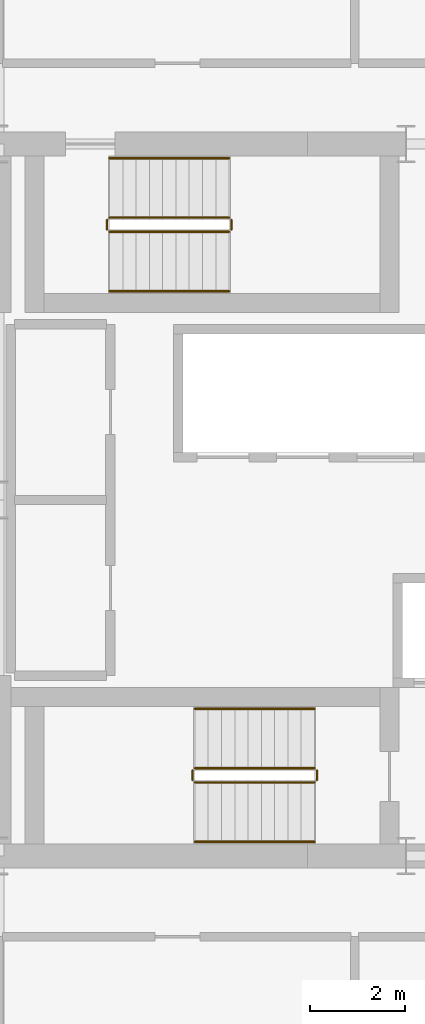
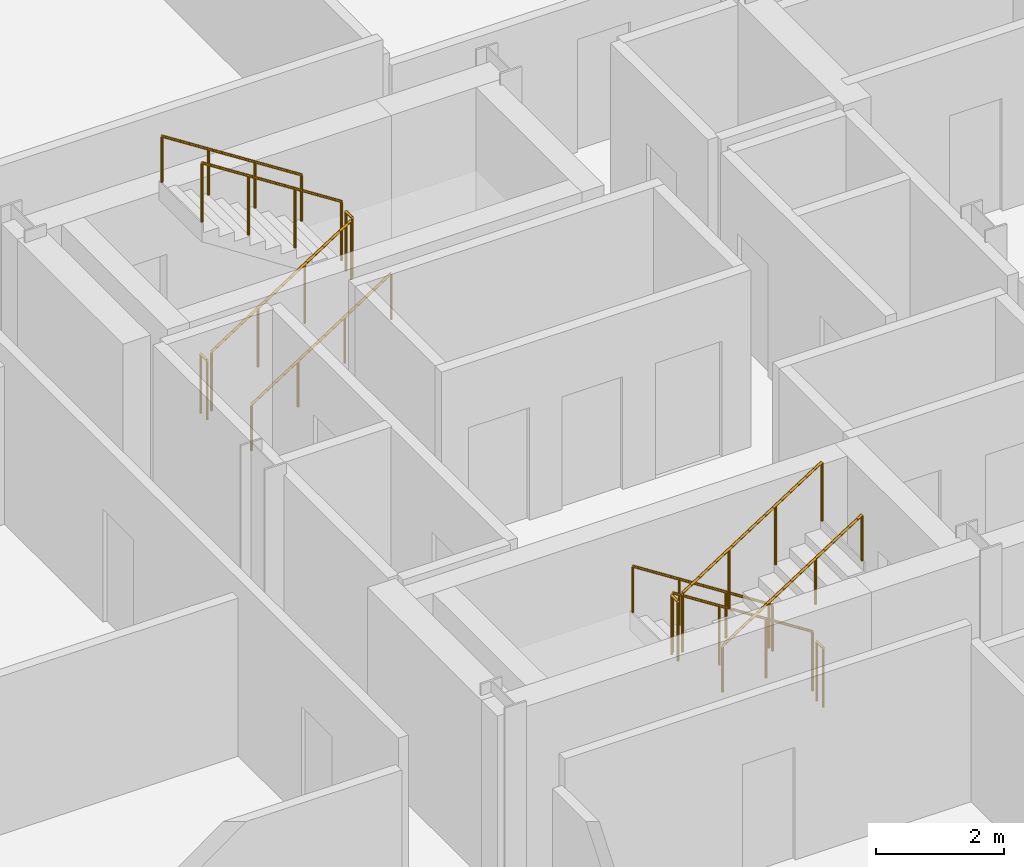
# One storey, part 23 of 24: 12 railings.
"""IFC4 building model written with IfcOpenShell, lengths in metres."""

import ifcopenshell
import ifcopenshell.guid

model = None  # the IFC model being written
_history = None  # IfcOwnerHistory: only IFC2X3 demands one
_inside = {}  # id of a spatial element -> (the spatial element, [elements in it])
_under = {}  # id of a project, library or spatial element -> (it, [spatial elements below it])
_declared = {}  # id of a project -> (the project, [libraries it declares])
_typed = {}  # id of a type object -> (the type object, [elements of that type])
_made_of = {}  # id of a material, layer set ... -> (it, [elements and type objects made of it])


def new_model(schema):
    """Start an empty IFC model of exactly this schema.

    Asked for "IFC4X3", IfcOpenShell would pick the latest addendum, in which some entities
    have other attributes; the version numbers below select the first issue.
    IFC2X3 requires an IfcOwnerHistory on every rooted entity: one is made here for all.
    """
    global model, _history
    if schema == "IFC4X3":
        model = ifcopenshell.file(schema_version=(4, 3, 0, 0))
    else:
        model = ifcopenshell.file(schema=schema)
    _inside.clear()
    _under.clear()
    _declared.clear()
    _typed.clear()
    _made_of.clear()
    _history = None
    if model.schema == "IFC2X3":
        org = make("IfcOrganization", Name="unknown")
        user = make(
            "IfcPersonAndOrganization",
            ThePerson=make("IfcPerson", FamilyName="unknown"),
            TheOrganization=org,
        )
        app = make(
            "IfcApplication",
            ApplicationDeveloper=org,
            Version="unknown",
            ApplicationFullName="unknown",
            ApplicationIdentifier="unknown",
        )
        _history = make(
            "IfcOwnerHistory",
            OwningUser=user,
            OwningApplication=app,
            ChangeAction="ADDED",
            CreationDate=0,
        )
    return model


def make(cls, **values):
    """One entity of the class cls with the attributes given. An attribute that is None is left unset."""
    return model.create_entity(
        cls, **{name: value for name, value in values.items() if value is not None}
    )


def rooted(cls, **values):
    """An entity with a GlobalId (a new one), such as an element, a storey or a relation."""
    return make(cls, GlobalId=ifcopenshell.guid.new(), OwnerHistory=_history, **values)


def si_unit(unit_type, name, prefix=None):
    """IfcSIUnit, for example si_unit("LENGTHUNIT", "METRE", prefix="MILLI")."""
    return make("IfcSIUnit", UnitType=unit_type, Prefix=prefix, Name=name)


def assignment(units):
    """IfcUnitAssignment: the units of a project."""
    return None if units is None else make("IfcUnitAssignment", Units=units)


def point(xyz):
    """IfcCartesianPoint."""
    return None if xyz is None else make("IfcCartesianPoint", Coordinates=xyz)


def direction(xyz):
    """IfcDirection."""
    return None if xyz is None else make("IfcDirection", DirectionRatios=xyz)


def frame(location, z_axis=None, x_axis=None):
    """IfcAxis2Placement3D, a coordinate frame: its origin and axes. An axis left out is left unset."""
    return make(
        "IfcAxis2Placement3D",
        Location=point(location),
        Axis=direction(z_axis),
        RefDirection=direction(x_axis),
    )


def frame_2d(location, x_axis=None):
    """IfcAxis2Placement2D, a coordinate frame in the plane: its origin and x axis."""
    return make(
        "IfcAxis2Placement2D", Location=point(location), RefDirection=direction(x_axis)
    )


def origin():
    """The frame at (0, 0, 0) with its axes left unset."""
    return frame((0.0, 0.0, 0.0))


def origin_2d():
    """The frame at (0, 0) in the plane with its x axis left unset."""
    return frame_2d((0.0, 0.0))


def place(relative_to, where):
    """IfcLocalPlacement: puts the frame where relative to a parent placement (None: the world)."""
    return make(
        "IfcLocalPlacement", PlacementRelTo=relative_to, RelativePlacement=where
    )


def context(
    kind, dimensions, precision=None, world=None, true_north=None, identifier=None
):
    """IfcGeometricRepresentationContext, for example the 3D "Model" context."""
    return make(
        "IfcGeometricRepresentationContext",
        ContextIdentifier=identifier,
        ContextType=kind,
        CoordinateSpaceDimension=dimensions,
        Precision=precision,
        WorldCoordinateSystem=world,
        TrueNorth=true_north,
    )


def subcontext(parent, identifier, kind, view, scale=None):
    """IfcGeometricRepresentationSubContext, for example "Body" below "Model"."""
    return make(
        "IfcGeometricRepresentationSubContext",
        ContextIdentifier=identifier,
        ContextType=kind,
        ParentContext=parent,
        TargetScale=scale,
        TargetView=view,
    )


def project(units=None, contexts=None):
    """IfcProject with its units and contexts."""
    return rooted(
        "IfcProject",
        Name="project",
        RepresentationContexts=contexts,
        UnitsInContext=assignment(units),
    )


def spatial(cls, under=None, at=None, **own):
    """A site, building, storey or space (cls), placed at a placement, below another one or the project."""
    s = rooted(cls, ObjectPlacement=at, **own)
    if under is not None:
        _under.setdefault(under.id(), (under, []))[1].append(s)
    return s


def profile(cls, at=None, kind="AREA", **sizes):
    """A parametric profile (cls). Its sizes go by their IFC names, for example OverallWidth=200.0."""
    return make(cls, ProfileType=kind, Position=at, **sizes)


def circle(**sizes):
    """IfcCircleProfileDef."""
    return profile("IfcCircleProfileDef", **sizes)


def extrude(swept, where, along, depth):
    """IfcExtrudedAreaSolid: the profile swept, set in the frame where, extruded along a direction by depth."""
    return make(
        "IfcExtrudedAreaSolid",
        SweptArea=swept,
        Position=where,
        ExtrudedDirection=direction(along),
        Depth=depth,
    )


def shape(context_of_items, identifier, shape_type, items):
    """IfcShapeRepresentation: the items that make up one representation, for example the "Body"."""
    return make(
        "IfcShapeRepresentation",
        ContextOfItems=context_of_items,
        RepresentationIdentifier=identifier,
        RepresentationType=shape_type,
        Items=items,
    )


def material(Name=None, Category=None):
    """IfcMaterial."""
    return make("IfcMaterial", Name=Name, Category=Category)


def made_of(thing, what):
    """Note that an element or type object is made of a material, layer set ...; save() writes the relation."""
    if what is not None:
        _made_of.setdefault(what.id(), (what, []))[1].append(thing)
    return thing


def type_object(cls, material=None, **own):
    """A type object (cls), such as IfcWallType, which elements share."""
    return made_of(rooted(cls, **own), material)


def element(
    cls,
    number,
    at=None,
    inside=None,
    cuts=None,
    type_object=None,
    material=None,
    context=None,
    identifier="Body",
    shape_type=None,
    held_by="IfcProductDefinitionShape",
    body=None,
    shapes=None,
    **own,
):
    """One element of the class cls, such as IfcWall. Its Tag is "e" and its number.

    at: its placement. inside: the storey or other place that contains it. cuts: it is an
    opening in that element (IfcRelVoidsElement). A single representation is given by context,
    identifier, shape_type and body (its items); several are given by shapes. held_by: the class
    of the entity that holds the representations. save() writes the other relations.
    """
    e = rooted(cls, Tag="e%d" % number, ObjectPlacement=at, **own)
    if body is not None:
        shapes = [shape(context, identifier, shape_type, body)]
    if shapes is not None:
        e.Representation = make(held_by, Representations=shapes)
    if inside is not None:
        _inside.setdefault(inside.id(), (inside, []))[1].append(e)
    if cuts is not None:
        rooted(
            "IfcRelVoidsElement", RelatingBuildingElement=cuts, RelatedOpeningElement=e
        )
    if type_object is not None:
        _typed.setdefault(type_object.id(), (type_object, []))[1].append(e)
    return made_of(e, material)


def aggregate(whole, parts):
    """IfcRelAggregates: a whole, such as a stair, and the parts it consists of."""
    return rooted("IfcRelAggregates", RelatingObject=whole, RelatedObjects=parts)


def save(model, path):
    """Write the relations noted so far, then the file.

    IfcRelAggregates (storeys below a building ...), IfcRelContainedInSpatialStructure (elements
    in a storey), IfcRelDefinesByType, IfcRelAssociatesMaterial and IfcRelDeclares: one each for
    every whole, place, type object, material and project.
    """
    for whole, parts in _under.values():
        aggregate(whole, parts)
    for where, things in _inside.values():
        rooted(
            "IfcRelContainedInSpatialStructure",
            RelatedElements=things,
            RelatingStructure=where,
        )
    for kind, things in _typed.values():
        rooted("IfcRelDefinesByType", RelatedObjects=things, RelatingType=kind)
    for what, things in _made_of.values():
        rooted("IfcRelAssociatesMaterial", RelatedObjects=things, RelatingMaterial=what)
    for by, libraries in _declared.values():
        rooted("IfcRelDeclares", RelatingContext=by, RelatedDefinitions=libraries)
    model.write(path)


model = new_model("IFC4")

# Units and contexts
model_context = context("Model", 3, precision=1e-05, world=origin(), true_north=direction((0.0, 1.0)))
body_context = subcontext(model_context, "Body", "Model", "MODEL_VIEW")
ifc_project = project(units=[si_unit("LENGTHUNIT", "METRE"), si_unit("AREAUNIT", "SQUARE_METRE"), si_unit("VOLUMEUNIT", "CUBIC_METRE"), si_unit("PLANEANGLEUNIT", "RADIAN"), si_unit("MASSUNIT", "GRAM", prefix="KILO")], contexts=[model_context])

# Site, building, storey
site_placement = place(None, origin())
site = spatial("IfcSite", under=ifc_project, at=site_placement, CompositionType="ELEMENT")
building_placement = place(site_placement, origin())
building = spatial("IfcBuilding", under=site, at=building_placement, Name="Barlavira Tower and Art Museum", CompositionType="ELEMENT")
storey_placement = place(building_placement, frame((0.0, 0.0, 272.699951171875)))
storey = spatial("IfcBuildingStorey", under=building, at=storey_placement, Name="L71", CompositionType="ELEMENT", Elevation=272.699951171875)

# Railings
ifc_material = material(Name="Brushed stainless steel", Category="steel")
railing_type_1 = type_object("IfcRailingType", Name="Interior Void and Landing Guard Railing 1150", PredefinedType="GUARDRAIL", material=ifc_material)
railing_1_placement = place(storey_placement, frame((0.14990234375, -5.64990234375, 0.179931640625)))
element("IfcRailing", 1, at=railing_1_placement, inside=storey, type_object=railing_type_1, Name="L71 ST-T1 stair guard 1", PredefinedType="GUARDRAIL", context=body_context, shape_type="SweptSolid", body=[
    extrude(circle(Radius=0.02392578125, at=origin_2d()), frame((0.0, 0.0, 1.1259765625), z_axis=(-0.841162588446, 0.0, 0.540782303519), x_axis=(0.0, -1.0, 0.0)), (0.0, 0.0, 1.0), 2.995849609375),
    extrude(circle(Radius=0.02099609375, at=origin_2d()), origin(), (0.0, 0.0, 1.0), 1.101806640625),
    extrude(circle(Radius=0.02099609375, at=origin_2d()), frame((-0.840087890625, 0.0, 0.5400390625)), (0.0, 0.0, 1.0), 1.101806640625),
    extrude(circle(Radius=0.02099609375, at=origin_2d()), frame((-1.679931640625, 0.0, 1.080078125)), (0.0, 0.0, 1.0), 1.101806640625),
    extrude(circle(Radius=0.02099609375, at=origin_2d()), frame((-2.52001953125, 0.0, 1.6201171875)), (0.0, 0.0, 1.0), 1.101806640625),
])
railing_2_placement = place(storey_placement, frame((-2.419921875, -5.699951171875, 1.800048828125)))
element("IfcRailing", 2, at=railing_2_placement, inside=storey, type_object=railing_type_1, Name="L71 ST-T1 stair guard 2", PredefinedType="GUARDRAIL", context=body_context, shape_type="SweptSolid", body=[
    extrude(circle(Radius=0.02392578125, at=origin_2d()), frame((0.0, 0.0, 1.1259765625), z_axis=(0.0, -1.0, 0.0), x_axis=(1.0, 0.0, 0.0)), (0.0, 0.0, 1.0), 0.199951171875),
    extrude(circle(Radius=0.02099609375, at=origin_2d()), origin(), (0.0, 0.0, 1.0), 1.101806640625),
    extrude(circle(Radius=0.02099609375, at=origin_2d()), frame((0.0, -0.199951171875, 0.0)), (0.0, 0.0, 1.0), 1.101806640625),
])
railing_3_placement = place(storey_placement, frame((-2.3701171875, -5.949951171875, 1.97998046875)))
element("IfcRailing", 3, at=railing_3_placement, inside=storey, type_object=railing_type_1, Name="L71 ST-T1 stair guard 3", PredefinedType="GUARDRAIL", context=body_context, shape_type="SweptSolid", body=[
    extrude(circle(Radius=0.02392578125, at=origin_2d()), frame((0.0, 0.0, 1.1259765625), z_axis=(0.841162588446, 0.0, 0.540782303519), x_axis=(0.0, 1.0, 0.0)), (0.0, 0.0, 1.0), 2.995849609375),
    extrude(circle(Radius=0.02099609375, at=origin_2d()), origin(), (0.0, 0.0, 1.0), 1.101806640625),
    extrude(circle(Radius=0.02099609375, at=origin_2d()), frame((0.840087890625, 0.0, 0.5400390625)), (0.0, 0.0, 1.0), 1.101806640625),
    extrude(circle(Radius=0.02099609375, at=origin_2d()), frame((1.679931640625, 0.0, 1.080078125)), (0.0, 0.0, 1.0), 1.101806640625),
    extrude(circle(Radius=0.02099609375, at=origin_2d()), frame((2.52001953125, 0.0, 1.6201171875)), (0.0, 0.0, 1.0), 1.101806640625),
])
railing_4_placement = place(storey_placement, frame((0.199951171875, -5.699951171875, 0.0)))
element("IfcRailing", 4, at=railing_4_placement, inside=storey, type_object=railing_type_1, Name="L71 ST-T1 stair guard 4", PredefinedType="GUARDRAIL", context=body_context, shape_type="SweptSolid", body=[
    extrude(circle(Radius=0.02392578125, at=origin_2d()), frame((0.0, 0.0, 1.1259765625), z_axis=(0.0, -1.0, 0.0), x_axis=(1.0, 0.0, 0.0)), (0.0, 0.0, 1.0), 0.199951171875),
    extrude(circle(Radius=0.02099609375, at=origin_2d()), origin(), (0.0, 0.0, 1.0), 1.101806640625),
    extrude(circle(Radius=0.02099609375, at=origin_2d()), frame((0.0, -0.199951171875, 0.0)), (0.0, 0.0, 1.0), 1.101806640625),
])
railing_5_placement = place(storey_placement, frame((-4.169921875, 5.64990234375, 0.179931640625)))
element("IfcRailing", 5, at=railing_5_placement, inside=storey, type_object=railing_type_1, Name="L71 ST-T2 stair guard 1", PredefinedType="GUARDRAIL", context=body_context, shape_type="SweptSolid", body=[
    extrude(circle(Radius=0.02392578125, at=origin_2d()), frame((0.0, 0.0, 1.1259765625), z_axis=(0.841162588446, 0.0, 0.540782303519), x_axis=(0.0, 1.0, 0.0)), (0.0, 0.0, 1.0), 2.995849609375),
    extrude(circle(Radius=0.02099609375, at=origin_2d()), origin(), (0.0, 0.0, 1.0), 1.101806640625),
    extrude(circle(Radius=0.02099609375, at=origin_2d()), frame((0.840087890625, 0.0, 0.5400390625)), (0.0, 0.0, 1.0), 1.101806640625),
    extrude(circle(Radius=0.02099609375, at=origin_2d()), frame((1.679931640625, 0.0, 1.080078125)), (0.0, 0.0, 1.0), 1.101806640625),
    extrude(circle(Radius=0.02099609375, at=origin_2d()), frame((2.52001953125, 0.0, 1.6201171875)), (0.0, 0.0, 1.0), 1.101806640625),
])
railing_6_placement = place(storey_placement, frame((-1.60009765625, 5.699951171875, 1.800048828125)))
element("IfcRailing", 6, at=railing_6_placement, inside=storey, type_object=railing_type_1, Name="L71 ST-T2 stair guard 2", PredefinedType="GUARDRAIL", context=body_context, shape_type="SweptSolid", body=[
    extrude(circle(Radius=0.02392578125, at=origin_2d()), frame((0.0, 0.0, 1.1259765625), z_axis=(0.0, 1.0, 0.0), x_axis=(-1.0, 0.0, 0.0)), (0.0, 0.0, 1.0), 0.199951171875),
    extrude(circle(Radius=0.02099609375, at=origin_2d()), origin(), (0.0, 0.0, 1.0), 1.101806640625),
    extrude(circle(Radius=0.02099609375, at=origin_2d()), frame((0.0, 0.199951171875, 0.0)), (0.0, 0.0, 1.0), 1.101806640625),
])
railing_7_placement = place(storey_placement, frame((-1.64990234375, 5.949951171875, 1.97998046875)))
element("IfcRailing", 7, at=railing_7_placement, inside=storey, type_object=railing_type_1, Name="L71 ST-T2 stair guard 3", PredefinedType="GUARDRAIL", context=body_context, shape_type="SweptSolid", body=[
    extrude(circle(Radius=0.02392578125, at=origin_2d()), frame((0.0, 0.0, 1.1259765625), z_axis=(-0.841162588446, 0.0, 0.540782303519), x_axis=(0.0, -1.0, 0.0)), (0.0, 0.0, 1.0), 2.995849609375),
    extrude(circle(Radius=0.02099609375, at=origin_2d()), origin(), (0.0, 0.0, 1.0), 1.101806640625),
    extrude(circle(Radius=0.02099609375, at=origin_2d()), frame((-0.840087890625, 0.0, 0.5400390625)), (0.0, 0.0, 1.0), 1.101806640625),
    extrude(circle(Radius=0.02099609375, at=origin_2d()), frame((-1.679931640625, 0.0, 1.080078125)), (0.0, 0.0, 1.0), 1.101806640625),
    extrude(circle(Radius=0.02099609375, at=origin_2d()), frame((-2.52001953125, 0.0, 1.6201171875)), (0.0, 0.0, 1.0), 1.101806640625),
])
railing_8_placement = place(storey_placement, frame((-4.219970703125, 5.699951171875, 0.0)))
element("IfcRailing", 8, at=railing_8_placement, inside=storey, type_object=railing_type_1, Name="L71 ST-T2 stair guard 4", PredefinedType="GUARDRAIL", context=body_context, shape_type="SweptSolid", body=[
    extrude(circle(Radius=0.02392578125, at=origin_2d()), frame((0.0, 0.0, 1.1259765625), z_axis=(0.0, 1.0, 0.0), x_axis=(-1.0, 0.0, 0.0)), (0.0, 0.0, 1.0), 0.199951171875),
    extrude(circle(Radius=0.02099609375, at=origin_2d()), origin(), (0.0, 0.0, 1.0), 1.101806640625),
    extrude(circle(Radius=0.02099609375, at=origin_2d()), frame((0.0, 0.199951171875, 0.0)), (0.0, 0.0, 1.0), 1.101806640625),
])
railing_type_2 = type_object("IfcRailingType", Name="Stair Pitch Tubular Steel Handrail 920", PredefinedType="HANDRAIL", material=ifc_material)
railing_9_placement = place(storey_placement, frame((0.14990234375, -4.39990234375, 0.179931640625)))
element("IfcRailing", 9, at=railing_9_placement, inside=storey, type_object=railing_type_2, Name="L71 ST-T1 stair handrail 1", PredefinedType="HANDRAIL", context=body_context, shape_type="SweptSolid", body=[
    extrude(circle(Radius=0.02392578125, at=origin_2d()), frame((0.0, 0.0, 0.8759765625), z_axis=(-0.841162588446, 0.0, 0.540782303519), x_axis=(0.0, -1.0, 0.0)), (0.0, 0.0, 1.0), 2.995849609375),
    extrude(circle(Radius=0.02099609375, at=origin_2d()), origin(), (0.0, 0.0, 1.0), 0.851806640625),
    extrude(circle(Radius=0.02099609375, at=origin_2d()), frame((-0.840087890625, 0.0, 0.5400390625)), (0.0, 0.0, 1.0), 0.851806640625),
    extrude(circle(Radius=0.02099609375, at=origin_2d()), frame((-1.679931640625, 0.0, 1.080078125)), (0.0, 0.0, 1.0), 0.851806640625),
    extrude(circle(Radius=0.02099609375, at=origin_2d()), frame((-2.52001953125, 0.0, 1.6201171875)), (0.0, 0.0, 1.0), 0.851806640625),
])
for number, where, name in (
    (10, (-2.3701171875, -7.199951171875, 1.97998046875), "L71 ST-T1 stair handrail 2"),
    (11, (-4.169921875, 4.39990234375, 0.179931640625), "L71 ST-T2 stair handrail 1"),
):
    element("IfcRailing", number, at=place(storey_placement, frame(where)), inside=storey, type_object=railing_type_2, Name=name, PredefinedType="HANDRAIL", context=body_context, shape_type="SweptSolid", body=[
        extrude(circle(Radius=0.02392578125, at=origin_2d()), frame((0.0, 0.0, 0.8759765625), z_axis=(0.841162588446, 0.0, 0.540782303519), x_axis=(0.0, 1.0, 0.0)), (0.0, 0.0, 1.0), 2.995849609375),
        extrude(circle(Radius=0.02099609375, at=origin_2d()), origin(), (0.0, 0.0, 1.0), 0.851806640625),
        extrude(circle(Radius=0.02099609375, at=origin_2d()), frame((0.840087890625, 0.0, 0.5400390625)), (0.0, 0.0, 1.0), 0.851806640625),
        extrude(circle(Radius=0.02099609375, at=origin_2d()), frame((1.679931640625, 0.0, 1.080078125)), (0.0, 0.0, 1.0), 0.851806640625),
        extrude(circle(Radius=0.02099609375, at=origin_2d()), frame((2.52001953125, 0.0, 1.6201171875)), (0.0, 0.0, 1.0), 0.851806640625),
    ])
railing_10_placement = place(storey_placement, frame((-1.64990234375, 7.199951171875, 1.97998046875)))
element("IfcRailing", 12, at=railing_10_placement, inside=storey, type_object=railing_type_2, Name="L71 ST-T2 stair handrail 2", PredefinedType="HANDRAIL", context=body_context, shape_type="SweptSolid", body=[
    extrude(circle(Radius=0.02392578125, at=origin_2d()), frame((0.0, 0.0, 0.8759765625), z_axis=(-0.841162588446, 0.0, 0.540782303519), x_axis=(0.0, -1.0, 0.0)), (0.0, 0.0, 1.0), 2.995849609375),
    extrude(circle(Radius=0.02099609375, at=origin_2d()), origin(), (0.0, 0.0, 1.0), 0.851806640625),
    extrude(circle(Radius=0.02099609375, at=origin_2d()), frame((-0.840087890625, 0.0, 0.5400390625)), (0.0, 0.0, 1.0), 0.851806640625),
    extrude(circle(Radius=0.02099609375, at=origin_2d()), frame((-1.679931640625, 0.0, 1.080078125)), (0.0, 0.0, 1.0), 0.851806640625),
    extrude(circle(Radius=0.02099609375, at=origin_2d()), frame((-2.52001953125, 0.0, 1.6201171875)), (0.0, 0.0, 1.0), 0.851806640625),
])

save(model, "model.ifc")
